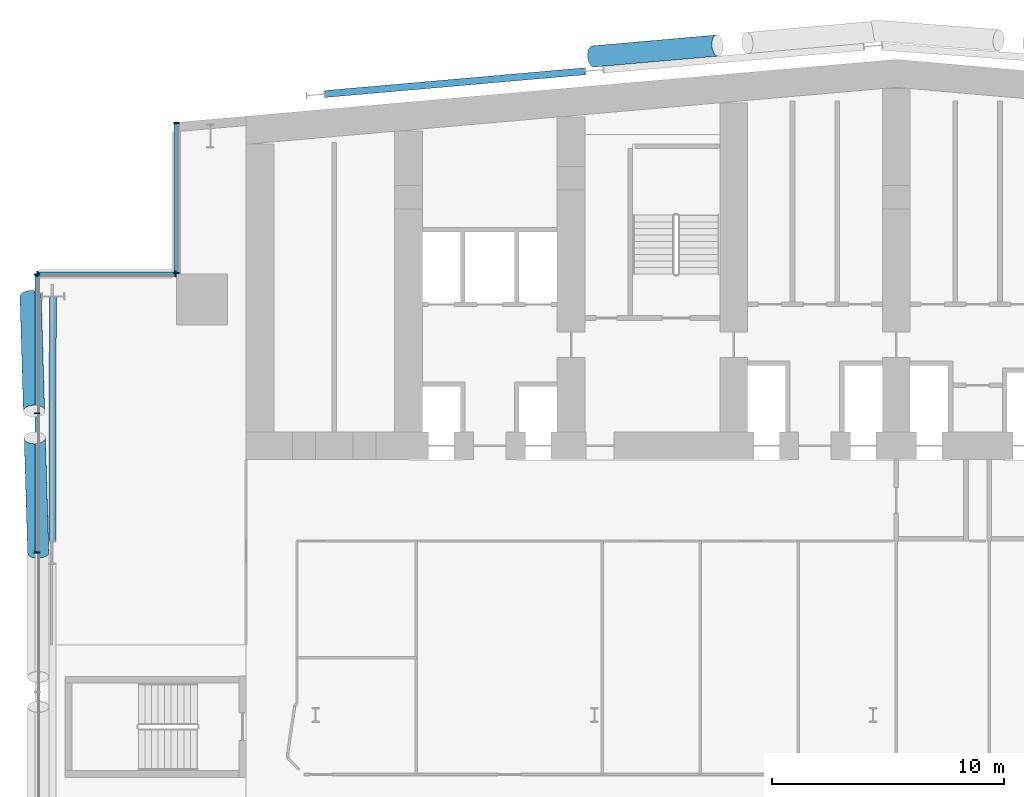
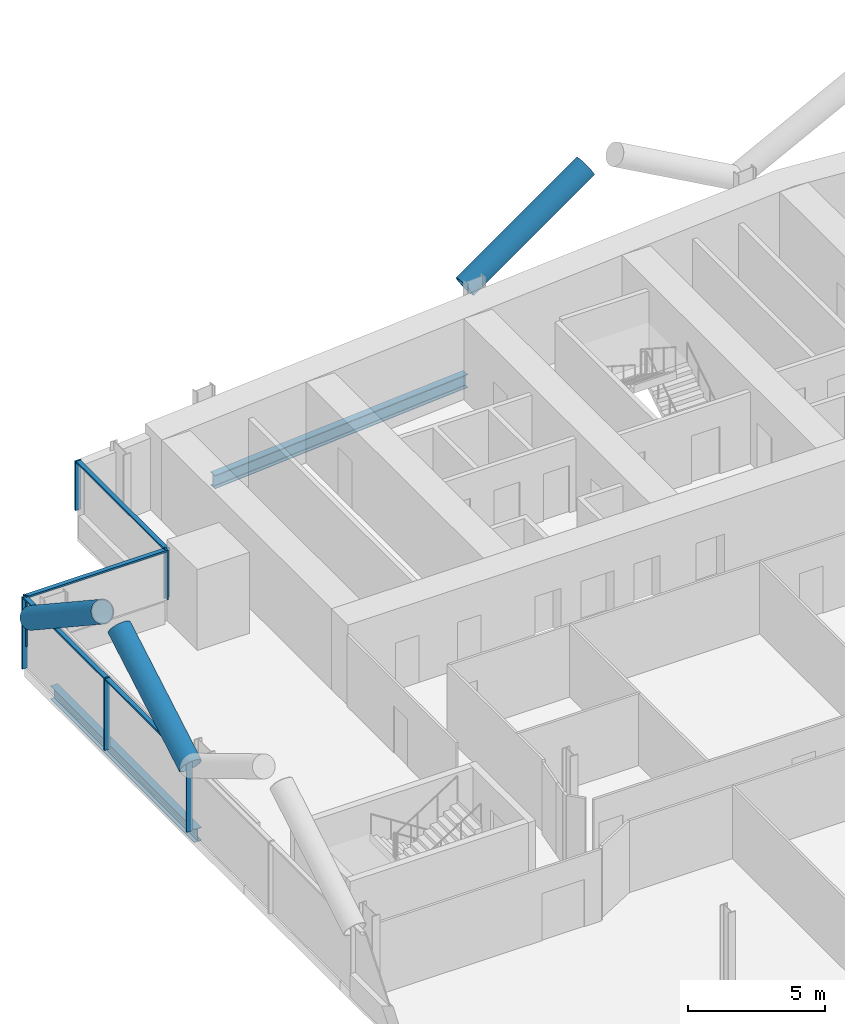
# One storey, part 7 of 28: 14 members, 2 beams, 3 elements without a shape of their own.
"""IFC4 building model written with IfcOpenShell, lengths in metres."""

from ifc_helpers import new_model, si_unit, direction, frame, origin, origin_2d, place, context, subcontext, project, spatial, rectangle, hollow_circle, i_section, extrude, material, material_profile, profile_set, type_object, element, aggregate, save


model = new_model("IFC4")

# Units and contexts
model_context = context("Model", 3, precision=1e-05, world=origin(), true_north=direction((0.0, 1.0)))
body_context = subcontext(model_context, "Body", "Model", "MODEL_VIEW")
ifc_project = project(units=[si_unit("LENGTHUNIT", "METRE"), si_unit("AREAUNIT", "SQUARE_METRE"), si_unit("VOLUMEUNIT", "CUBIC_METRE"), si_unit("PLANEANGLEUNIT", "RADIAN"), si_unit("MASSUNIT", "GRAM", prefix="KILO")], contexts=[model_context])

# Site, building, storey
site_placement = place(None, origin())
site = spatial("IfcSite", under=ifc_project, at=site_placement, CompositionType="ELEMENT")
building_placement = place(site_placement, origin())
building = spatial("IfcBuilding", under=site, at=building_placement, Name="Wharfspan Tower", CompositionType="ELEMENT")
storey_placement = place(building_placement, frame((0.0, 0.0, 52.300049)))
storey = spatial("IfcBuildingStorey", under=building, at=storey_placement, Name="L09", CompositionType="ELEMENT", Elevation=52.300049)

# Beams
ifc_material_1 = material(Name="Steel S355J2", Category="steel")
ifc_material_profile_1 = material_profile(ifc_material_1, i_section(OverallWidth=0.300049, OverallDepth=0.600098, WebThickness=0.015381, FlangeThickness=0.030029, FilletRadius=0.0271, at=origin_2d()))
ifc_profile_set_1 = profile_set([ifc_material_profile_1], Name="Steel S355J2")
beam_type = type_object("IfcBeamType", Name="Edge beam HEB 600", PredefinedType="SPANDREL", material=ifc_profile_set_1)
beam_1_placement = place(storey_placement, frame((23.598633, 50.724609, -0.699951), z_axis=(-0.996194, -0.087165, 0.0), x_axis=(0.087165, -0.996194, 0.0)))
element("IfcBeam", 1, at=beam_1_placement, inside=storey, type_object=beam_type, Name="Edge beam N1 L09 R.2 to R.1", PredefinedType="SPANDREL", context=body_context, shape_type="SweptSolid", body=[
    extrude(i_section(OverallWidth=0.300049, OverallDepth=0.600098, WebThickness=0.015381, FlangeThickness=0.030029, FilletRadius=0.0271, at=origin_2d()), origin(), (0.0, 0.0, 1.0), 11.23999),
])
beam_2_placement = place(storey_placement, frame((0.684814, 41.027832, -0.699951), z_axis=(-0.002249, -0.999997, 0.0), x_axis=(0.999997, -0.002249, 0.0)))
element("IfcBeam", 2, at=beam_2_placement, inside=storey, type_object=beam_type, Name="Edge beam W L09 PNRW-H.1 to PW.1", PredefinedType="SPANDREL", context=body_context, shape_type="SweptSolid", body=[
    extrude(i_section(OverallWidth=0.300049, OverallDepth=0.600098, WebThickness=0.015381, FlangeThickness=0.030029, FilletRadius=0.0271, at=origin_2d()), origin(), (0.0, 0.0, 1.0), 10.527832),
])

# Curtain wall, members
ifc_material_2 = material(Name="Aluminium 6063-T6", Category="aluminium")
curtain_wall_type = type_object("IfcCurtainWallType", Name="CURTAIN WALL PROW AND END", PredefinedType="NOTDEFINED", material=ifc_material_2)
curtain_wall_1_placement = place(storey_placement, origin())
curtain_wall_1 = element("IfcCurtainWall", 3, at=curtain_wall_1_placement, inside=storey, type_object=curtain_wall_type, Name="Curtain wall NRW-V", PredefinedType="NOTDEFINED")
ifc_material_profile_2 = material_profile(ifc_material_2, rectangle(XDim=0.23999, YDim=0.060059, at=origin_2d()))
ifc_profile_set_2 = profile_set([ifc_material_profile_2], Name="Aluminium 6063-T6")
member_type_1 = type_object("IfcMemberType", Name="MULLION PROW AND END 60x240", PredefinedType="MULLION", material=ifc_profile_set_2)
member_1_placement = place(storey_placement, frame((6.0, 48.494873, 1.0), z_axis=(0.0, 0.0, 1.0), x_axis=(1.0, 0.0, 0.0)))
member_1 = element("IfcMember", 4, at=member_1_placement, type_object=member_type_1, Name="Curtain wall NRW-V mullion 1", PredefinedType="MULLION", context=body_context, shape_type="SweptSolid", body=[
    extrude(rectangle(XDim=0.23999, YDim=0.060059, at=origin_2d()), origin(), (0.0, 0.0, 1.0), 2.199951),
])
member_2_placement = place(storey_placement, frame((6.0, 42.030029, 1.0), z_axis=(0.0, 0.0, 1.0), x_axis=(1.0, 0.0, 0.0)))
member_2 = element("IfcMember", 5, at=member_2_placement, type_object=member_type_1, Name="Curtain wall NRW-V mullion 2", PredefinedType="MULLION", context=body_context, shape_type="SweptSolid", body=[
    extrude(rectangle(XDim=0.23999, YDim=0.060059, at=origin_2d()), origin(), (0.0, 0.0, 1.0), 2.199951),
])

curtain_wall_2_placement = place(storey_placement, origin())
curtain_wall_2 = element("IfcCurtainWall", 6, at=curtain_wall_2_placement, inside=storey, type_object=curtain_wall_type, Name="Curtain wall NRW-H", PredefinedType="NOTDEFINED")
member_3_placement = place(storey_placement, frame((5.969971, 42.0, 1.0), z_axis=(0.0, 0.0, 1.0), x_axis=(0.0, -1.0, 0.0)))
member_3 = element("IfcMember", 7, at=member_3_placement, type_object=member_type_1, Name="Curtain wall NRW-H mullion 1", PredefinedType="MULLION", context=body_context, shape_type="SweptSolid", body=[
    extrude(rectangle(XDim=0.23999, YDim=0.060059, at=origin_2d()), origin(), (0.0, 0.0, 1.0), 2.199951),
])
member_4_placement = place(storey_placement, frame((0.030029, 42.0, 1.0), z_axis=(0.0, 0.0, 1.0), x_axis=(0.0, -1.0, 0.0)))
member_4 = element("IfcMember", 8, at=member_4_placement, type_object=member_type_1, Name="Curtain wall NRW-H mullion 2", PredefinedType="MULLION", context=body_context, shape_type="SweptSolid", body=[
    extrude(rectangle(XDim=0.23999, YDim=0.060059, at=origin_2d()), origin(), (0.0, 0.0, 1.0), 2.199951),
])

curtain_wall_3_placement = place(storey_placement, origin())
curtain_wall_3 = element("IfcCurtainWall", 9, at=curtain_wall_3_placement, inside=storey, type_object=curtain_wall_type, Name="Curtain wall W", PredefinedType="NOTDEFINED")
member_5_placement = place(storey_placement, frame((0.0, 41.969971, 0.0), z_axis=(0.0, 0.0, 1.0), x_axis=(1.0, 0.0, 0.0)))
member_5 = element("IfcMember", 10, at=member_5_placement, type_object=member_type_1, Name="Curtain wall W mullion 1", PredefinedType="MULLION", context=body_context, shape_type="SweptSolid", body=[
    extrude(rectangle(XDim=0.23999, YDim=0.060059, at=origin_2d()), origin(), (0.0, 0.0, 1.0), 3.199951),
])
member_6_placement = place(storey_placement, frame((0.0, 36.0, 0.0), z_axis=(0.0, 0.0, 1.0), x_axis=(1.0, 0.0, 0.0)))
member_6 = element("IfcMember", 11, at=member_6_placement, type_object=member_type_1, Name="Curtain wall W mullion 2", PredefinedType="MULLION", context=body_context, shape_type="SweptSolid", body=[
    extrude(rectangle(XDim=0.23999, YDim=0.060059, at=origin_2d()), origin(), (0.0, 0.0, 1.0), 3.199951),
])
member_7_placement = place(storey_placement, frame((0.0, 30.0, 0.0), z_axis=(0.0, 0.0, 1.0), x_axis=(1.0, 0.0, 0.0)))
member_7 = element("IfcMember", 12, at=member_7_placement, type_object=member_type_1, Name="Curtain wall W mullion 3", PredefinedType="MULLION", context=body_context, shape_type="SweptSolid", body=[
    extrude(rectangle(XDim=0.23999, YDim=0.060059, at=origin_2d()), origin(), (0.0, 0.0, 1.0), 3.199951),
])

# Members
ifc_material_3 = material(Name="Steel S460NH", Category="steel")
ifc_material_profile_3 = material_profile(ifc_material_3, hollow_circle(Radius=0.457031, WallThickness=0.040039, at=origin_2d()))
ifc_profile_set_3 = profile_set([ifc_material_profile_3], Name="Steel S460NH")
member_type_2 = type_object("IfcMemberType", Name="Mega brace CHS 914x40", PredefinedType="BRACE", material=ifc_profile_set_3)
for number, where, z_axis, x_axis, name in (
    (13, (-0.273193, 41.03418, 2.899902), (0.0249, -0.837221, 0.546298), (0.999556, 0.02973, 3e-06), "Mega brace W4 L10 part 1"),
    (14, (0.054932, 30.0, 2.899902), (-0.0249, 0.837221, 0.546298), (-0.999556, -0.02973, 3e-06), "Mega brace W4 L10 part 3"),
):
    element("IfcMember", number, at=place(storey_placement, frame(where, z_axis=z_axis, x_axis=x_axis)), inside=storey, type_object=member_type_2, Name=name, PredefinedType="BRACE", context=body_context, shape_type="SweptSolid", body=[
        extrude(hollow_circle(Radius=0.457031, WallThickness=0.040039, at=origin_2d()), origin(), (0.0, 0.0, 1.0), 5.892822),
    ])
member_8_placement = place(storey_placement, frame((23.947266, 51.363037, 2.899902), z_axis=(0.855094, 0.074809, 0.513048), x_axis=(-0.087154, 0.996195, 1e-06)))
element("IfcMember", 15, at=member_8_placement, inside=storey, type_object=member_type_2, Name="Mega brace N7 L10 part 1", PredefinedType="BRACE", context=body_context, shape_type="SweptSolid", body=[
    extrude(hollow_circle(Radius=0.457031, WallThickness=0.040039, at=origin_2d()), origin(), (0.0, 0.0, 1.0), 6.256104),
])

# Member
ifc_material_profile_4 = material_profile(ifc_material_2, rectangle(XDim=0.179932, YDim=0.080078, at=origin_2d()))
ifc_profile_set_4 = profile_set([ifc_material_profile_4], Name="Aluminium 6063-T6")
member_type_3 = type_object("IfcMemberType", Name="TRANSOM PROW AND END 80x180", PredefinedType="USERDEFINED", material=ifc_profile_set_4)
member_9_placement = place(storey_placement, frame((6.0, 48.464844, 3.159912), z_axis=(0.0, -1.0, 0.0), x_axis=(1.0, 0.0, 0.0)))
member_9 = element("IfcMember", 16, at=member_9_placement, type_object=member_type_3, Name="Curtain wall NRW-V transom 1", ObjectType="TRANSOM", PredefinedType="USERDEFINED", context=body_context, shape_type="SweptSolid", body=[
    extrude(rectangle(XDim=0.179932, YDim=0.080078, at=origin_2d()), origin(), (0.0, 0.0, 1.0), 6.404785),
])

aggregate(curtain_wall_1, [member_1, member_2, member_9])

member_10_placement = place(storey_placement, frame((5.939941, 42.0, 3.159912), z_axis=(-1.0, 0.0, 0.0), x_axis=(0.0, -1.0, 0.0)))
member_10 = element("IfcMember", 17, at=member_10_placement, type_object=member_type_3, Name="Curtain wall NRW-H transom 1", ObjectType="TRANSOM", PredefinedType="USERDEFINED", context=body_context, shape_type="SweptSolid", body=[
    extrude(rectangle(XDim=0.179932, YDim=0.080078, at=origin_2d()), origin(), (0.0, 0.0, 1.0), 5.879883),
])

aggregate(curtain_wall_2, [member_3, member_4, member_10])

member_11_placement = place(storey_placement, frame((0.0, 41.939941, 3.159912), z_axis=(0.0, -1.0, 0.0), x_axis=(1.0, 0.0, 0.0)))
member_11 = element("IfcMember", 18, at=member_11_placement, type_object=member_type_3, Name="Curtain wall W transom 1", ObjectType="TRANSOM", PredefinedType="USERDEFINED", context=body_context, shape_type="SweptSolid", body=[
    extrude(rectangle(XDim=0.179932, YDim=0.080078, at=origin_2d()), origin(), (0.0, 0.0, 1.0), 5.909912),
])

member_12_placement = place(storey_placement, frame((0.0, 35.969971, 3.159912), z_axis=(0.0, -1.0, 0.0), x_axis=(1.0, 0.0, 0.0)))
member_12 = element("IfcMember", 19, at=member_12_placement, type_object=member_type_3, Name="Curtain wall W transom 2", ObjectType="TRANSOM", PredefinedType="USERDEFINED", context=body_context, shape_type="SweptSolid", body=[
    extrude(rectangle(XDim=0.179932, YDim=0.080078, at=origin_2d()), origin(), (0.0, 0.0, 1.0), 5.939941),
])

aggregate(curtain_wall_3, [member_5, member_6, member_7, member_11, member_12])

save(model, "model.ifc")
